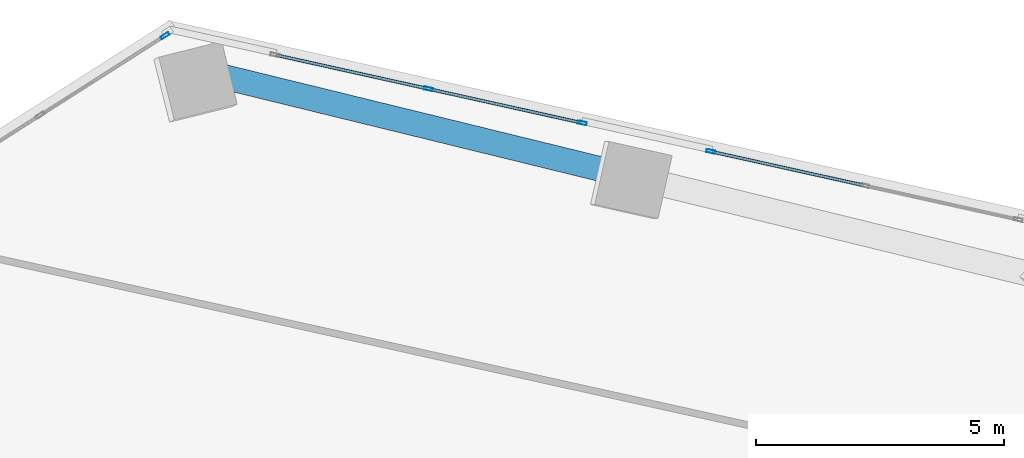
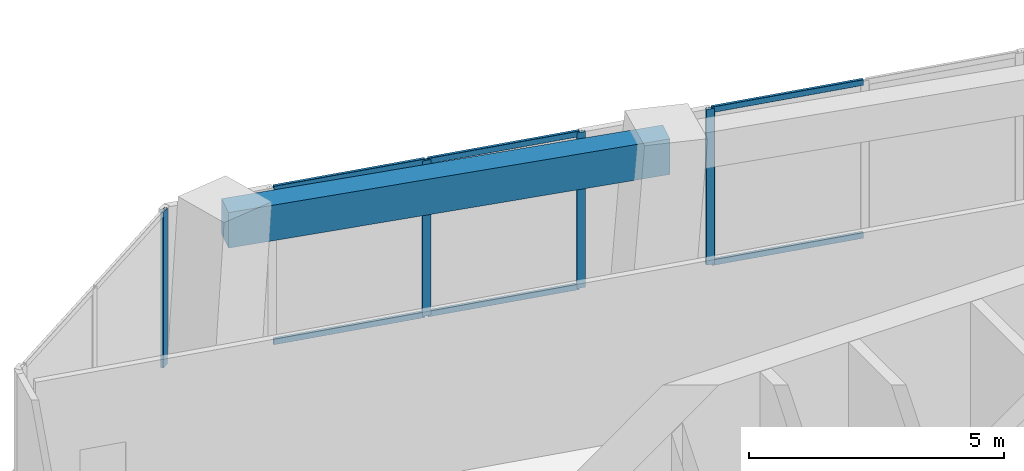
# One storey, part 16 of 25: 10 members, 1 beam, 3 elements without a shape of their own.
"""IFC4 building model written with IfcOpenShell, lengths in metres."""

from ifc_helpers import new_model, si_unit, direction, frame, origin, origin_2d, place, context, subcontext, project, spatial, rectangle, hollow_rectangle, extrude, source, transform, mapped, material, material_profile, profile_set, type_object, element, aggregate, save


model = new_model("IFC4")

# Units and contexts
model_context = context("Model", 3, precision=1e-05, world=origin(), true_north=direction((0.0, 1.0)))
body_context = subcontext(model_context, "Body", "Model", "MODEL_VIEW")
ifc_project = project(units=[si_unit("LENGTHUNIT", "METRE"), si_unit("AREAUNIT", "SQUARE_METRE"), si_unit("VOLUMEUNIT", "CUBIC_METRE"), si_unit("PLANEANGLEUNIT", "RADIAN"), si_unit("MASSUNIT", "GRAM", prefix="KILO")], contexts=[model_context])

# Site, building, storey
site_placement = place(None, origin())
site = spatial("IfcSite", under=ifc_project, at=site_placement, CompositionType="ELEMENT")
building_placement = place(site_placement, origin())
building = spatial("IfcBuilding", under=site, at=building_placement, Name="Torre Montelarca", CompositionType="ELEMENT")
storey_placement = place(building_placement, frame((0.0, 0.0, 91.60009765625)))
storey = spatial("IfcBuildingStorey", under=building, at=storey_placement, Name="L20", CompositionType="ELEMENT", Elevation=91.60009765625)

# Beam
ifc_material_1 = material(Name="Concrete C55/67", Category="concrete")
ifc_material_profile_1 = material_profile(ifc_material_1, rectangle(XDim=0.5, YDim=0.85009765625, at=origin_2d()), Name="RCB500X850", Category="concrete")
ifc_profile_set_1 = profile_set([ifc_material_profile_1], Name="Concrete C55/67")
beam_type = type_object("IfcBeamType", Name="BM-SP-RC850-EXT", PredefinedType="SPANDREL", material=ifc_profile_set_1)
shared_shape_1 = source(origin(), body_context, "Body", "SweptSolid", [
    extrude(rectangle(XDim=0.5, YDim=0.85009765625, at=origin_2d()), origin(), (0.0, 0.0, 1.0), 9.0),
])
beam_placement = place(storey_placement, frame((12.959228515625, 49.68701171875, 3.534912109375), z_axis=(0.971335287657, -0.237713606997, 0.0), x_axis=(0.237713606997, 0.971335287657, 0.0)))
element("IfcBeam", 1, at=beam_placement, inside=storey, type_object=beam_type, Name="L20 Grid Girder X 9.0-18.0 at Y=47.1", PredefinedType="SPANDREL", context=body_context, shape_type="MappedRepresentation", body=[
    mapped(shared_shape_1, transform((0.0, 0.0, 0.0), scale=1.0)),
])

# Curtain wall, members
ifc_material_2 = material(Name="Insulated low-E laminated glass", Category="glass")
curtain_wall_type = type_object("IfcCurtainWallType", Name="CW-SYS-Z1", PredefinedType="USERDEFINED", material=ifc_material_2)
curtain_wall_1_placement = place(storey_placement, origin())
curtain_wall_1 = element("IfcCurtainWall", 2, at=curtain_wall_1_placement, inside=storey, type_object=curtain_wall_type, Name="L20 Curtain Wall Run CW-T3-L20-E08-B3", ObjectType="UNITISED GLAZING", PredefinedType="USERDEFINED")
ifc_material_3 = material(Name="Anodised aluminium AA 6063-T6", Category="aluminium")
ifc_material_profile_2 = material_profile(ifc_material_3, hollow_rectangle(XDim=0.06494140625, YDim=0.139892578125, WallThickness=0.00390625, InnerFilletRadius=0.00390625, OuterFilletRadius=0.008056640625, at=origin_2d()), Name="ALU65X140X4", Category="aluminium")
ifc_profile_set_2 = profile_set([ifc_material_profile_2], Name="Anodised aluminium AA 6063-T6")
member_type_1 = type_object("IfcMemberType", Name="CWT-ALU140", PredefinedType="USERDEFINED", material=ifc_profile_set_2)
shared_shape_2 = source(origin(), body_context, "Body", "SweptSolid", [
    extrude(hollow_rectangle(XDim=0.06494140625, YDim=0.139892578125, WallThickness=0.00390625, InnerFilletRadius=0.00390625, OuterFilletRadius=0.008056640625, at=origin_2d()), origin(), (0.0, 0.0, 1.0), 3.10693359375),
])
member_1_placement = place(storey_placement, frame((26.08447265625, 47.44384765625, 0.032470703125), z_axis=(-0.976301561008, 0.216414560449, 0.0), x_axis=(-0.216414560449, -0.976301561008, 0.0)))
member_1 = element("IfcMember", 3, at=member_1_placement, type_object=member_type_1, Name="CW transom 2.1", ObjectType="TRANSOM", PredefinedType="USERDEFINED", context=body_context, shape_type="MappedRepresentation", body=[
    mapped(shared_shape_2, transform((0.0, 0.0, 0.0), scale=1.0)),
])
member_2_placement = place(storey_placement, frame((26.08447265625, 47.44384765625, 3.6875), z_axis=(-0.976301561008, 0.216414560449, 0.0), x_axis=(-0.216414560449, -0.976301561008, 0.0)))
member_2 = element("IfcMember", 4, at=member_2_placement, type_object=member_type_1, Name="CW transom 2.2", ObjectType="TRANSOM", PredefinedType="USERDEFINED", context=body_context, shape_type="MappedRepresentation", body=[
    mapped(shared_shape_2, transform((0.0, 0.0, 0.0), scale=1.0)),
])

curtain_wall_2_placement = place(storey_placement, origin())
curtain_wall_2 = element("IfcCurtainWall", 5, at=curtain_wall_2_placement, inside=storey, type_object=curtain_wall_type, Name="L20 Curtain Wall Run CW-T3-L20-E08-B4", ObjectType="UNITISED GLAZING", PredefinedType="USERDEFINED")
shared_shape_3 = source(origin(), body_context, "Body", "SweptSolid", [
    extrude(hollow_rectangle(XDim=0.06494140625, YDim=0.139892578125, WallThickness=0.00390625, InnerFilletRadius=0.00390625, OuterFilletRadius=0.008056640625, at=origin_2d()), origin(), (0.0, 0.0, 1.0), 3.105712890625),
])
member_3_placement = place(storey_placement, frame((20.39453125, 48.705322265625, 0.032470703125), z_axis=(-0.97630344321, 0.216406069175, 0.0), x_axis=(-0.216406069175, -0.97630344321, 0.0)))
member_3 = element("IfcMember", 6, at=member_3_placement, type_object=member_type_1, Name="CW transom 1.1", ObjectType="TRANSOM", PredefinedType="USERDEFINED", context=body_context, shape_type="MappedRepresentation", body=[
    mapped(shared_shape_3, transform((0.0, 0.0, 0.0), scale=1.0)),
])
member_4_placement = place(storey_placement, frame((20.39453125, 48.705322265625, 3.6875), z_axis=(-0.97630344321, 0.216406069175, 0.0), x_axis=(-0.216406069175, -0.97630344321, 0.0)))
member_4 = element("IfcMember", 7, at=member_4_placement, type_object=member_type_1, Name="CW transom 1.2", ObjectType="TRANSOM", PredefinedType="USERDEFINED", context=body_context, shape_type="MappedRepresentation", body=[
    mapped(shared_shape_3, transform((0.0, 0.0, 0.0), scale=1.0)),
])

# Member
ifc_material_profile_3 = material_profile(ifc_material_3, hollow_rectangle(XDim=0.06494140625, YDim=0.179931640625, WallThickness=0.00390625, InnerFilletRadius=0.00390625, OuterFilletRadius=0.008056640625, at=origin_2d()), Name="ALU65X180X4", Category="aluminium")
ifc_profile_set_3 = profile_set([ifc_material_profile_3], Name="Anodised aluminium AA 6063-T6")
member_type_2 = type_object("IfcMemberType", Name="CWM-ALU180", PredefinedType="MULLION", material=ifc_profile_set_3)
shared_shape_4 = source(origin(), body_context, "Body", "SweptSolid", [
    extrude(hollow_rectangle(XDim=0.06494140625, YDim=0.179931640625, WallThickness=0.00390625, InnerFilletRadius=0.00390625, OuterFilletRadius=0.008056640625, at=origin_2d()), origin(), (0.0, 0.0, 1.0), 3.719970703125),
])
member_5_placement = place(storey_placement, frame((23.01953125, 48.123291015625, 0.0), z_axis=(0.0, 0.0, 1.0), x_axis=(-0.216439738088, -0.976295979596, 0.0)))
member_5 = element("IfcMember", 8, at=member_5_placement, type_object=member_type_2, Name="CW mullion 3", PredefinedType="MULLION", context=body_context, shape_type="MappedRepresentation", body=[
    mapped(shared_shape_4, transform((0.0, 0.0, 0.0), scale=1.0)),
])

aggregate(curtain_wall_1, [member_5, member_1, member_2])

member_6_placement = place(storey_placement, frame((20.42626953125, 48.6982421875, 0.0), z_axis=(0.0, 0.0, 1.0), x_axis=(-0.216437912348, -0.976296384352, 0.0)))
member_6 = element("IfcMember", 9, at=member_6_placement, type_object=member_type_2, Name="CW mullion 1", PredefinedType="MULLION", context=body_context, shape_type="MappedRepresentation", body=[
    mapped(shared_shape_4, transform((0.0, 0.0, 0.0), scale=1.0)),
])

member_7_placement = place(storey_placement, frame((17.33056640625, 49.384521484375, 0.0), z_axis=(0.0, 0.0, 1.0), x_axis=(-0.216437912348, -0.976296384352, 0.0)))
member_7 = element("IfcMember", 10, at=member_7_placement, type_object=member_type_2, Name="CW mullion 2", PredefinedType="MULLION", context=body_context, shape_type="MappedRepresentation", body=[
    mapped(shared_shape_4, transform((0.0, 0.0, 0.0), scale=1.0)),
])

# Curtain wall, member
curtain_wall_3_placement = place(storey_placement, origin())
curtain_wall_3 = element("IfcCurtainWall", 11, at=curtain_wall_3_placement, inside=storey, type_object=curtain_wall_type, Name="L20 Curtain Wall Run CW-T3-L20-E09-B1", ObjectType="UNITISED GLAZING", PredefinedType="USERDEFINED")
member_8_placement = place(storey_placement, frame((12.021728515625, 50.456787109375, 0.0), z_axis=(0.0, 0.0, 1.0), x_axis=(0.537316274487, -0.843380828079, 0.0)))
member_8 = element("IfcMember", 12, at=member_8_placement, type_object=member_type_2, Name="CW mullion 1", PredefinedType="MULLION", context=body_context, shape_type="MappedRepresentation", body=[
    mapped(shared_shape_4, transform((0.0, 0.0, 0.0), scale=1.0)),
])
aggregate(curtain_wall_3, [member_8])

# Member
shared_shape_5 = source(origin(), body_context, "Body", "SweptSolid", [
    extrude(hollow_rectangle(XDim=0.06494140625, YDim=0.139892578125, WallThickness=0.00390625, InnerFilletRadius=0.00390625, OuterFilletRadius=0.008056640625, at=origin_2d()), origin(), (0.0, 0.0, 1.0), 3.10546875),
])
member_9_placement = place(storey_placement, frame((17.298828125, 49.3916015625, 0.032470703125), z_axis=(-0.976299761479, 0.216422678424, 0.0), x_axis=(-0.216422678424, -0.976299761479, 0.0)))
member_9 = element("IfcMember", 13, at=member_9_placement, type_object=member_type_1, Name="CW transom 2.1", ObjectType="TRANSOM", PredefinedType="USERDEFINED", context=body_context, shape_type="MappedRepresentation", body=[
    mapped(shared_shape_5, transform((0.0, 0.0, 0.0), scale=1.0)),
])

member_10_placement = place(storey_placement, frame((17.298828125, 49.3916015625, 3.6875), z_axis=(-0.976299761479, 0.216422678424, 0.0), x_axis=(-0.216422678424, -0.976299761479, 0.0)))
member_10 = element("IfcMember", 14, at=member_10_placement, type_object=member_type_1, Name="CW transom 2.2", ObjectType="TRANSOM", PredefinedType="USERDEFINED", context=body_context, shape_type="MappedRepresentation", body=[
    mapped(shared_shape_5, transform((0.0, 0.0, 0.0), scale=1.0)),
])

aggregate(curtain_wall_2, [member_6, member_7, member_3, member_4, member_9, member_10])

save(model, "model.ifc")
